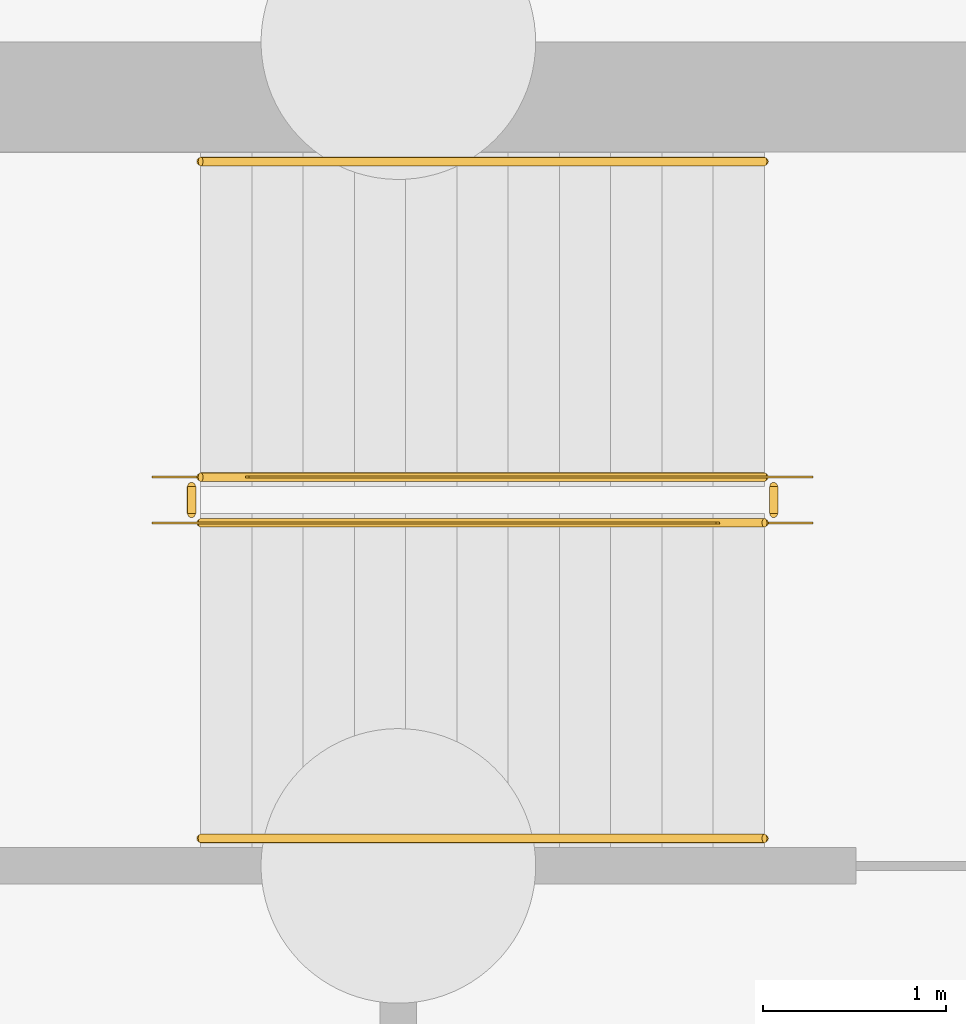
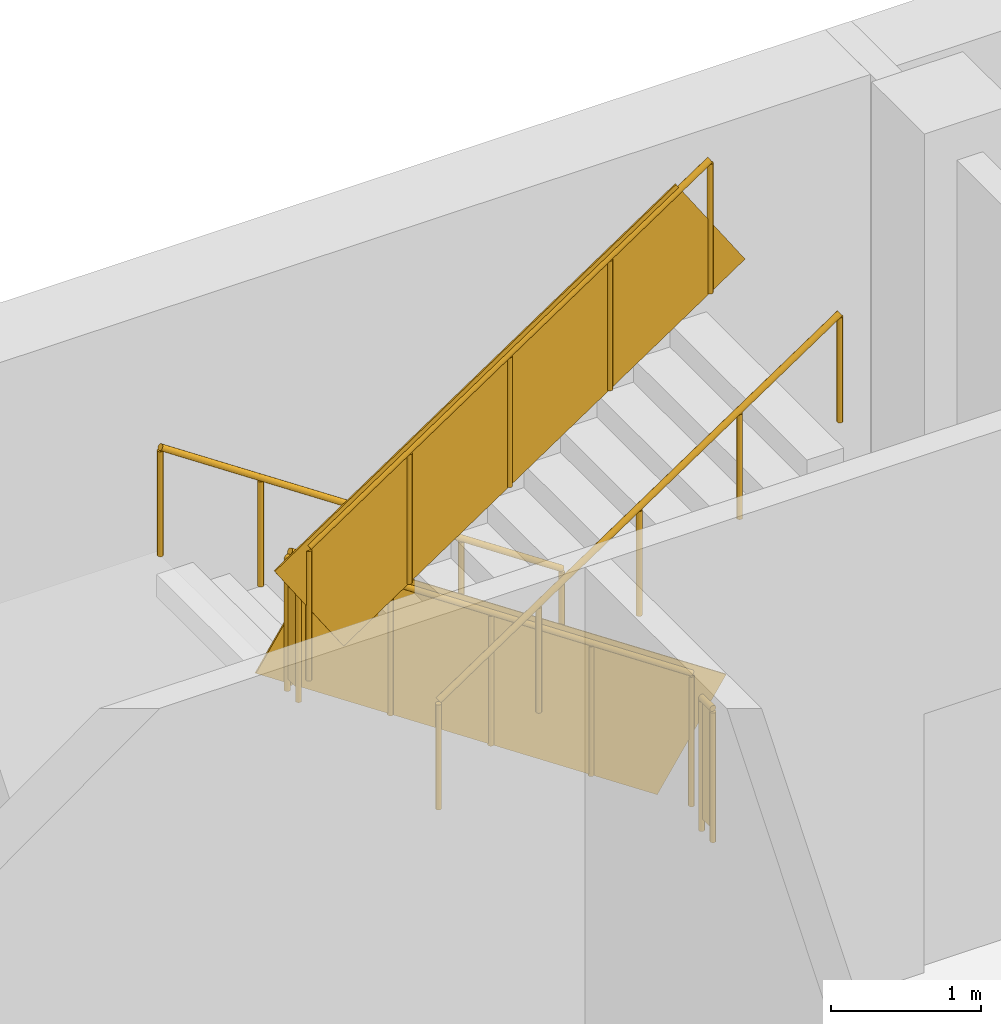
# One storey, part 11 of 12: 6 railings.
"""IFC4 building model written with IfcOpenShell, lengths in metres."""

from ifc_helpers import new_model, si_unit, direction, frame, origin, origin_2d, place, context, subcontext, project, spatial, rectangle, circle, extrude, material, type_object, element, save


model = new_model("IFC4")

# Units and contexts
model_context = context("Model", 3, precision=1e-05, world=origin(), true_north=direction((0.0, 1.0)))
body_context = subcontext(model_context, "Body", "Model", "MODEL_VIEW")
ifc_project = project(units=[si_unit("LENGTHUNIT", "METRE"), si_unit("AREAUNIT", "SQUARE_METRE"), si_unit("VOLUMEUNIT", "CUBIC_METRE"), si_unit("PLANEANGLEUNIT", "RADIAN"), si_unit("MASSUNIT", "GRAM", prefix="KILO")], contexts=[model_context])

# Site, building, storey
site_placement = place(None, origin())
site = spatial("IfcSite", under=ifc_project, at=site_placement, CompositionType="ELEMENT")
building_placement = place(site_placement, origin())
building = spatial("IfcBuilding", under=site, at=building_placement, Name="Dilmun Exchange Tower", CompositionType="ELEMENT")
storey_placement = place(building_placement, frame((0.0, 0.0, -9.0)))
storey = spatial("IfcBuildingStorey", under=building, at=storey_placement, Name="B2", CompositionType="ELEMENT", Elevation=-9.0)

# Railings
ifc_material_1 = material(Name="Guard 1100")
railing_type_1 = type_object("IfcRailingType", Name="Guard 1100", PredefinedType="GUARDRAIL", material=ifc_material_1)
railing_1_placement = place(storey_placement, frame((24.5, 33.6240234375, 0.1875)))
element("IfcRailing", 1, at=railing_1_placement, inside=storey, type_object=railing_type_1, Name="B2 PS2 stair guard 1", PredefinedType="GUARDRAIL", context=body_context, shape_type="SweptSolid", body=[
    extrude(circle(Radius=0.02392578125, at=origin_2d()), frame((0.0, 0.0, 1.076171875), z_axis=(-0.830913701846, 0.0, 0.55640131208), x_axis=(0.0, -1.0, 0.0)), (0.0, 0.0, 1.0), 3.706787109375),
    extrude(rectangle(XDim=0.011962890625, YDim=0.951904296875, at=origin_2d()), frame((0.0, 0.0, 0.576171875), z_axis=(-0.830913701846, 0.0, 0.55640131208), x_axis=(0.0, -1.0, 0.0)), (0.0, 0.0, 1.0), 3.706787109375),
    extrude(circle(Radius=0.02099609375, at=origin_2d()), origin(), (0.0, 0.0, 1.0), 1.052001953125),
    extrude(circle(Radius=0.02099609375, at=origin_2d()), frame((-0.77001953125, 0.0, 0.515625)), (0.0, 0.0, 1.0), 1.052001953125),
    extrude(circle(Radius=0.02099609375, at=origin_2d()), frame((-1.5400390625, 0.0, 1.03125)), (0.0, 0.0, 1.0), 1.052001953125),
    extrude(circle(Radius=0.02099609375, at=origin_2d()), frame((-2.31005859375, 0.0, 1.546875)), (0.0, 0.0, 1.0), 1.052001953125),
    extrude(circle(Radius=0.02099609375, at=origin_2d()), frame((-3.080078125, 0.0, 2.0625)), (0.0, 0.0, 1.0), 1.052001953125),
])
railing_2_placement = place(storey_placement, frame((21.3701171875, 33.573974609375, 2.25)))
element("IfcRailing", 2, at=railing_2_placement, inside=storey, type_object=railing_type_1, Name="B2 PS2 stair guard 2", PredefinedType="GUARDRAIL", context=body_context, shape_type="SweptSolid", body=[
    extrude(circle(Radius=0.02392578125, at=origin_2d()), frame((0.0, 0.0, 1.076171875), z_axis=(0.0, -1.0, 0.0), x_axis=(1.0, 0.0, 0.0)), (0.0, 0.0, 1.0), 0.14990234375),
    extrude(rectangle(XDim=0.011962890625, YDim=0.951904296875, at=origin_2d()), frame((0.0, 0.0, 0.576171875), z_axis=(0.0, -1.0, 0.0), x_axis=(1.0, 0.0, 0.0)), (0.0, 0.0, 1.0), 0.14990234375),
    extrude(circle(Radius=0.02099609375, at=origin_2d()), origin(), (0.0, 0.0, 1.0), 1.052001953125),
    extrude(circle(Radius=0.02099609375, at=origin_2d()), frame((0.0, -0.14990234375, 0.0)), (0.0, 0.0, 1.0), 1.052001953125),
])
railing_3_placement = place(storey_placement, frame((21.419921875, 33.3740234375, 2.4375)))
element("IfcRailing", 3, at=railing_3_placement, inside=storey, type_object=railing_type_1, Name="B2 PS2 stair guard 3", PredefinedType="GUARDRAIL", context=body_context, shape_type="SweptSolid", body=[
    extrude(circle(Radius=0.02392578125, at=origin_2d()), frame((0.0, 0.0, 1.076171875), z_axis=(0.830913701846, 0.0, 0.55640131208), x_axis=(0.0, 1.0, 0.0)), (0.0, 0.0, 1.0), 3.706787109375),
    extrude(rectangle(XDim=0.011962890625, YDim=0.951904296875, at=origin_2d()), frame((0.0, 0.0, 0.576171875), z_axis=(0.830913701846, 0.0, 0.55640131208), x_axis=(0.0, 1.0, 0.0)), (0.0, 0.0, 1.0), 3.706787109375),
    extrude(circle(Radius=0.02099609375, at=origin_2d()), origin(), (0.0, 0.0, 1.0), 1.052001953125),
    extrude(circle(Radius=0.02099609375, at=origin_2d()), frame((0.77001953125, 0.0, 0.515625)), (0.0, 0.0, 1.0), 1.052001953125),
    extrude(circle(Radius=0.02099609375, at=origin_2d()), frame((1.5400390625, 0.0, 1.03125)), (0.0, 0.0, 1.0), 1.052001953125),
    extrude(circle(Radius=0.02099609375, at=origin_2d()), frame((2.31005859375, 0.0, 1.546875)), (0.0, 0.0, 1.0), 1.052001953125),
    extrude(circle(Radius=0.02099609375, at=origin_2d()), frame((3.080078125, 0.0, 2.0625)), (0.0, 0.0, 1.0), 1.052001953125),
])
railing_4_placement = place(storey_placement, frame((24.550048828125, 33.573974609375, 0.0)))
element("IfcRailing", 4, at=railing_4_placement, inside=storey, type_object=railing_type_1, Name="B2 PS2 stair guard 4", PredefinedType="GUARDRAIL", context=body_context, shape_type="SweptSolid", body=[
    extrude(circle(Radius=0.02392578125, at=origin_2d()), frame((0.0, 0.0, 1.076171875), z_axis=(0.0, -1.0, 0.0), x_axis=(1.0, 0.0, 0.0)), (0.0, 0.0, 1.0), 0.14990234375),
    extrude(rectangle(XDim=0.011962890625, YDim=0.951904296875, at=origin_2d()), frame((0.0, 0.0, 0.576171875), z_axis=(0.0, -1.0, 0.0), x_axis=(1.0, 0.0, 0.0)), (0.0, 0.0, 1.0), 0.14990234375),
    extrude(circle(Radius=0.02099609375, at=origin_2d()), origin(), (0.0, 0.0, 1.0), 1.052001953125),
    extrude(circle(Radius=0.02099609375, at=origin_2d()), frame((0.0, -0.14990234375, 0.0)), (0.0, 0.0, 1.0), 1.052001953125),
])
ifc_material_2 = material(Name="Handrail 900")
railing_type_2 = type_object("IfcRailingType", Name="Handrail 900", PredefinedType="HANDRAIL", material=ifc_material_2)
railing_5_placement = place(storey_placement, frame((24.5, 35.347900390625, 0.1875)))
element("IfcRailing", 5, at=railing_5_placement, inside=storey, type_object=railing_type_2, Name="B2 PS2 stair handrail 1", PredefinedType="HANDRAIL", context=body_context, shape_type="SweptSolid", body=[
    extrude(circle(Radius=0.02392578125, at=origin_2d()), frame((0.0, 0.0, 0.8759765625), z_axis=(-0.830913701846, 0.0, 0.55640131208), x_axis=(0.0, -1.0, 0.0)), (0.0, 0.0, 1.0), 3.706787109375),
    extrude(circle(Radius=0.02099609375, at=origin_2d()), origin(), (0.0, 0.0, 1.0), 0.851806640625),
    extrude(circle(Radius=0.02099609375, at=origin_2d()), frame((-0.77001953125, 0.0, 0.515625)), (0.0, 0.0, 1.0), 0.851806640625),
    extrude(circle(Radius=0.02099609375, at=origin_2d()), frame((-1.5400390625, 0.0, 1.03125)), (0.0, 0.0, 1.0), 0.851806640625),
    extrude(circle(Radius=0.02099609375, at=origin_2d()), frame((-2.31005859375, 0.0, 1.546875)), (0.0, 0.0, 1.0), 0.851806640625),
    extrude(circle(Radius=0.02099609375, at=origin_2d()), frame((-3.080078125, 0.0, 2.0625)), (0.0, 0.0, 1.0), 0.851806640625),
])
railing_6_placement = place(storey_placement, frame((21.419921875, 31.64990234375, 2.4375)))
element("IfcRailing", 6, at=railing_6_placement, inside=storey, type_object=railing_type_2, Name="B2 PS2 stair handrail 2", PredefinedType="HANDRAIL", context=body_context, shape_type="SweptSolid", body=[
    extrude(circle(Radius=0.02392578125, at=origin_2d()), frame((0.0, 0.0, 0.8759765625), z_axis=(0.830913701846, 0.0, 0.55640131208), x_axis=(0.0, 1.0, 0.0)), (0.0, 0.0, 1.0), 3.706787109375),
    extrude(circle(Radius=0.02099609375, at=origin_2d()), origin(), (0.0, 0.0, 1.0), 0.851806640625),
    extrude(circle(Radius=0.02099609375, at=origin_2d()), frame((0.77001953125, 0.0, 0.515625)), (0.0, 0.0, 1.0), 0.851806640625),
    extrude(circle(Radius=0.02099609375, at=origin_2d()), frame((1.5400390625, 0.0, 1.03125)), (0.0, 0.0, 1.0), 0.851806640625),
    extrude(circle(Radius=0.02099609375, at=origin_2d()), frame((2.31005859375, 0.0, 1.546875)), (0.0, 0.0, 1.0), 0.851806640625),
    extrude(circle(Radius=0.02099609375, at=origin_2d()), frame((3.080078125, 0.0, 2.0625)), (0.0, 0.0, 1.0), 0.851806640625),
])

save(model, "model.ifc")
